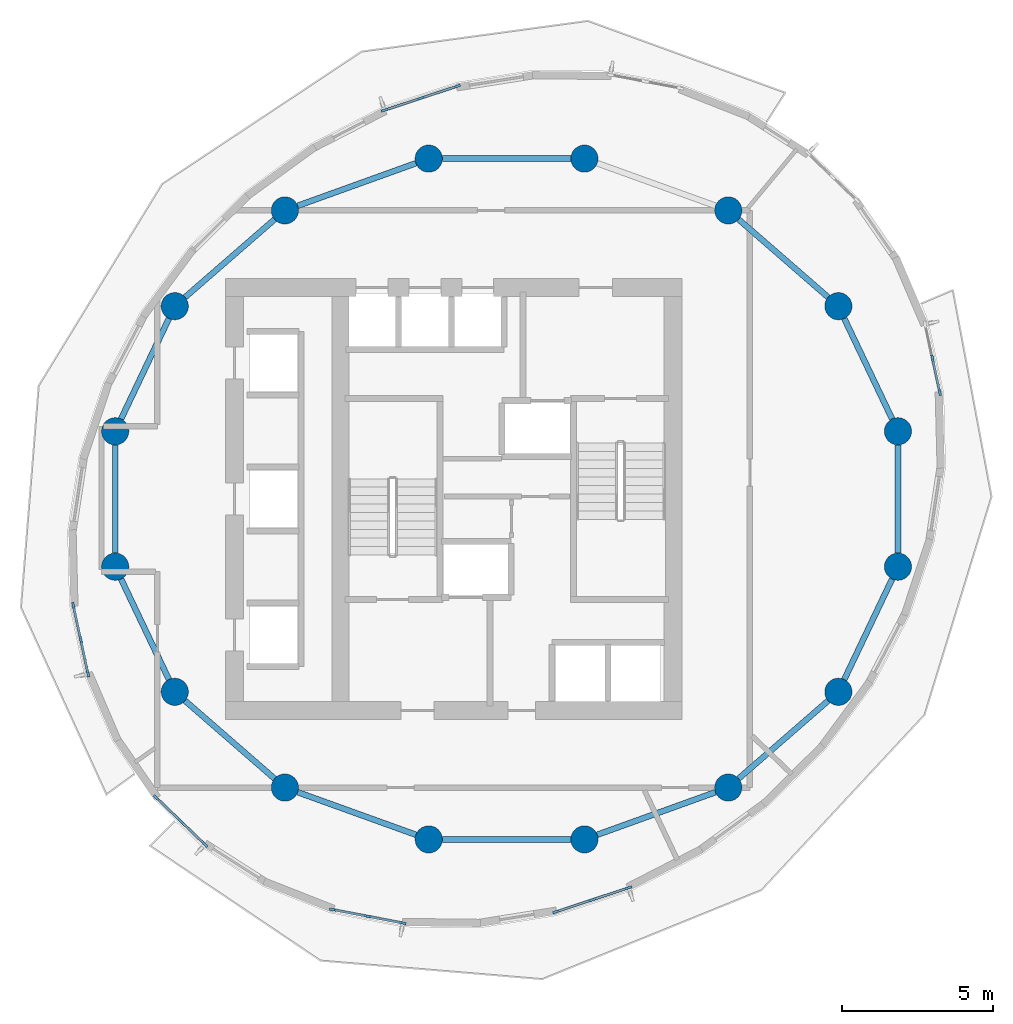
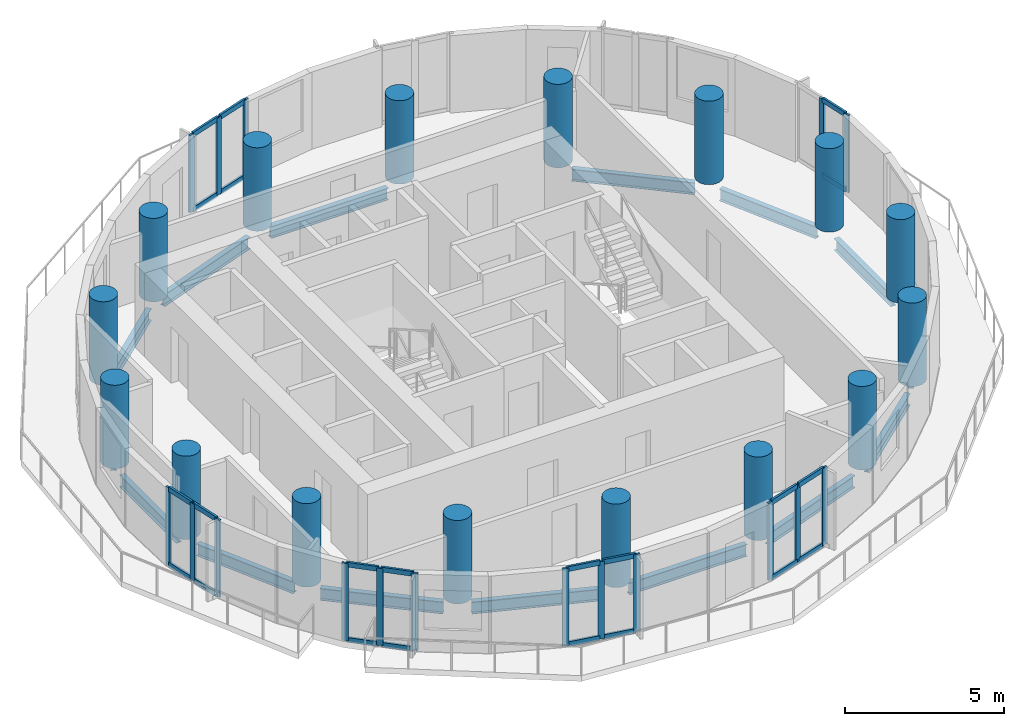
# One storey, part 1 of 9: 39 members, 16 columns, 15 beams, 6 elements without a shape of their own.
"""IFC4 building model written with IfcOpenShell, lengths in metres."""

from ifc_helpers import new_model, si_unit, direction, frame, origin, origin_2d, place, context, subcontext, project, spatial, rectangle, circle, i_section, extrude, material, material_profile, profile_set, type_object, element, aggregate, save


model = new_model("IFC4")

# Units and contexts
model_context = context("Model", 3, precision=1e-05, world=origin(), true_north=direction((0.0, 1.0)))
body_context = subcontext(model_context, "Body", "Model", "MODEL_VIEW")
ifc_project = project(units=[si_unit("LENGTHUNIT", "METRE"), si_unit("AREAUNIT", "SQUARE_METRE"), si_unit("VOLUMEUNIT", "CUBIC_METRE"), si_unit("PLANEANGLEUNIT", "RADIAN"), si_unit("MASSUNIT", "GRAM", prefix="KILO")], contexts=[model_context])

# Site, building, storey
site_placement = place(None, origin())
site = spatial("IfcSite", under=ifc_project, at=site_placement, CompositionType="ELEMENT")
building_placement = place(site_placement, origin())
building = spatial("IfcBuilding", under=site, at=building_placement, Name="Veldorim Arch Residences", CompositionType="ELEMENT")
storey_placement = place(building_placement, frame((0.0, 0.0, 163.0400390625)))
storey = spatial("IfcBuildingStorey", under=building, at=storey_placement, Name="L48", CompositionType="ELEMENT", Elevation=163.0400390625)

# Columns
ifc_material_1 = material(Name="Concrete C50/60", Category="concrete")
ifc_material_profile_1 = material_profile(ifc_material_1, circle(Radius=0.449951171875, at=origin_2d()), Name="RC_CIRC_900")
ifc_profile_set_1 = profile_set([ifc_material_profile_1], Name="Concrete C50/60")
column_type = type_object("IfcColumnType", Name="Structural Column RC_CIRC_900", PredefinedType="COLUMN", material=ifc_profile_set_1)
for number, where, z_axis, x_axis, name in (
    (1, (44.9462890625, 26.239501953125, 0.0), (0.0, 0.0, 1.0), (1.0, 0.0, 0.0), "L48 TC-Z4-01 perimeter column"),
    (2, (42.975341796875, 30.3779296875, 0.0), (0.0, 0.0, 1.0), (1.0, 0.0, 0.0), "L48 TC-Z4-02 perimeter column"),
    (3, (39.33349609375, 33.54541015625, 0.0), (0.0, 0.0, 1.0), (1.0, 0.0, 0.0), "L48 TC-Z4-03 perimeter column"),
    (4, (34.5751953125, 35.259521484375, 0.0), (0.0, 0.0, 1.0), (1.0, 0.0, 0.0), "L48 TC-Z4-04 perimeter column"),
    (5, (29.4248046875, 35.259521484375, 0.0), (0.0, 0.0, 1.0), (1.0, 0.0, 0.0), "L48 TC-Z4-05 perimeter column"),
    (6, (24.66650390625, 33.54541015625, 0.0), (0.0, 0.0, 1.0), (1.0, 0.0, 0.0), "L48 TC-Z4-06 perimeter column"),
    (7, (21.024658203125, 30.3779296875, 0.0), (0.0, 0.0, 1.0), (1.0, 0.0, 0.0), "L48 TC-Z4-07 perimeter column"),
    (8, (19.0537109375, 26.239501953125, 0.0), (0.0, 0.0, 1.0), (1.0, 0.0, 0.0), "L48 TC-Z4-08 perimeter column"),
    (9, (19.0537109375, 21.760498046875, 0.0), (0.0, 0.0, 1.0), (1.0, 0.0, 0.0), "L48 TC-Z4-09 perimeter column"),
    (10, (21.024658203125, 17.6220703125, 0.0), (0.0, 0.0, 1.0), (1.0, 0.0, 0.0), "L48 TC-Z4-10 perimeter column"),
    (11, (24.66650390625, 14.45458984375, 0.0), (0.0, 0.0, 1.0), (1.0, 0.0, 0.0), "L48 TC-Z4-11 perimeter column"),
    (12, (29.4248046875, 12.740478515625, 0.0), (0.0, 0.0, 1.0), (1.0, 0.0, 0.0), "L48 TC-Z4-12 perimeter column"),
    (13, (34.5751953125, 12.740478515625, 0.0), (0.0, 0.0, 1.0), (1.0, 0.0, 0.0), "L48 TC-Z4-13 perimeter column"),
    (14, (39.33349609375, 14.45458984375, 0.0), (0.0, 0.0, 1.0), (1.0, 0.0, 0.0), "L48 TC-Z4-14 perimeter column"),
    (15, (42.975341796875, 17.6220703125, 0.0), (0.0, 0.0, 1.0), (1.0, 0.0, 0.0), "L48 TC-Z4-15 perimeter column"),
    (16, (44.9462890625, 21.760498046875, 0.0), (0.0, 0.0, 1.0), (1.0, 0.0, 0.0), "L48 TC-Z4-16 perimeter column"),
):
    element("IfcColumn", number, at=place(storey_placement, frame(where, z_axis=z_axis, x_axis=x_axis)), inside=storey, type_object=column_type, Name=name, PredefinedType="COLUMN", context=body_context, shape_type="SweptSolid", body=[
        extrude(circle(Radius=0.449951171875, at=origin_2d()), origin(), (0.0, 0.0, 1.0), 3.199951171875),
    ])

# Curtain wall, members
ifc_material_2 = material(Name="Aluminium", Category="aluminium")
curtain_wall_type = type_object("IfcCurtainWallType", Name="Sky Lounge & Conservatory Tall Curtain Wall", PredefinedType="NOTDEFINED", material=ifc_material_2)
curtain_wall_1_placement = place(storey_placement, origin())
curtain_wall_1 = element("IfcCurtainWall", 17, at=curtain_wall_1_placement, inside=storey, type_object=curtain_wall_type, Name="L48 unitised curtain wall bay 07", PredefinedType="NOTDEFINED")
ifc_material_3 = material(Name="Aluminium", Category="aluminium")
ifc_material_profile_2 = material_profile(ifc_material_3, rectangle(XDim=0.080078125, YDim=0.219970703125, at=origin_2d()), Name="ALU_MUL_80x220")
ifc_profile_set_2 = profile_set([ifc_material_profile_2], Name="Aluminium")
member_type_1 = type_object("IfcMemberType", Name="Sky Lounge & Conservatory Tall Curtain Wall Mullion 80x220", PredefinedType="MULLION", material=ifc_profile_set_2)
member_1_placement = place(storey_placement, frame((27.962158203125, 36.86083984375, 0.0), z_axis=(0.0, 0.0, 1.0), x_axis=(-0.313182004333, 0.949693125258, 0.0)))
member_1 = element("IfcMember", 18, at=member_1_placement, type_object=member_type_1, Name="CW-SKY mullion 1", PredefinedType="MULLION", context=body_context, shape_type="SweptSolid", body=[
    extrude(rectangle(XDim=0.080078125, YDim=0.219970703125, at=origin_2d()), origin(), (0.0, 0.0, 1.0), 2.9599609375),
])
member_2_placement = place(storey_placement, frame((29.164306640625, 37.257080078125, 0.0), z_axis=(0.0, 0.0, 1.0), x_axis=(-0.313182004333, 0.949693125258, 0.0)))
member_2 = element("IfcMember", 19, at=member_2_placement, type_object=member_type_1, Name="CW-SKY mullion 2", PredefinedType="MULLION", context=body_context, shape_type="SweptSolid", body=[
    extrude(rectangle(XDim=0.080078125, YDim=0.219970703125, at=origin_2d()), origin(), (0.0, 0.0, 1.0), 2.9599609375),
])
member_3_placement = place(storey_placement, frame((30.366455078125, 37.653564453125, 0.0), z_axis=(0.0, 0.0, 1.0), x_axis=(-0.313182004333, 0.949693125258, 0.0)))
member_3 = element("IfcMember", 20, at=member_3_placement, type_object=member_type_1, Name="CW-SKY mullion 3", PredefinedType="MULLION", context=body_context, shape_type="SweptSolid", body=[
    extrude(rectangle(XDim=0.080078125, YDim=0.219970703125, at=origin_2d()), origin(), (0.0, 0.0, 1.0), 2.9599609375),
])

curtain_wall_2_placement = place(storey_placement, origin())
curtain_wall_2 = element("IfcCurtainWall", 21, at=curtain_wall_2_placement, inside=storey, type_object=curtain_wall_type, Name="L48 unitised curtain wall bay 16", PredefinedType="NOTDEFINED")
member_4_placement = place(storey_placement, frame((18.155517578125, 18.21630859375, 0.0), z_axis=(0.0, 0.0, 1.0), x_axis=(-0.977731263882, -0.209860848248, 0.0)))
member_4 = element("IfcMember", 22, at=member_4_placement, type_object=member_type_1, Name="CW-SKY mullion 1", PredefinedType="MULLION", context=body_context, shape_type="SweptSolid", body=[
    extrude(rectangle(XDim=0.080078125, YDim=0.219970703125, at=origin_2d()), origin(), (0.0, 0.0, 1.0), 2.9599609375),
])
member_5_placement = place(storey_placement, frame((17.913330078125, 19.344482421875, 0.0), z_axis=(0.0, 0.0, 1.0), x_axis=(-0.977731263882, -0.209860848248, 0.0)))
member_5 = element("IfcMember", 23, at=member_5_placement, type_object=member_type_1, Name="CW-SKY mullion 2", PredefinedType="MULLION", context=body_context, shape_type="SweptSolid", body=[
    extrude(rectangle(XDim=0.080078125, YDim=0.219970703125, at=origin_2d()), origin(), (0.0, 0.0, 1.0), 2.9599609375),
])
member_6_placement = place(storey_placement, frame((17.67138671875, 20.472900390625, 0.0), z_axis=(0.0, 0.0, 1.0), x_axis=(-0.977731263882, -0.209860848248, 0.0)))
member_6 = element("IfcMember", 24, at=member_6_placement, type_object=member_type_1, Name="CW-SKY mullion 3", PredefinedType="MULLION", context=body_context, shape_type="SweptSolid", body=[
    extrude(rectangle(XDim=0.080078125, YDim=0.219970703125, at=origin_2d()), origin(), (0.0, 0.0, 1.0), 2.9599609375),
])

curtain_wall_3_placement = place(storey_placement, origin())
curtain_wall_3 = element("IfcCurtainWall", 25, at=curtain_wall_3_placement, inside=storey, type_object=curtain_wall_type, Name="L48 unitised curtain wall bay 19", PredefinedType="NOTDEFINED")
member_7_placement = place(storey_placement, frame((22.027099609375, 12.566650390625, 0.0), z_axis=(0.0, 0.0, 1.0), x_axis=(-0.693821051004, -0.720147449612, 0.0)))
member_7 = element("IfcMember", 26, at=member_7_placement, type_object=member_type_1, Name="CW-SKY mullion 1", PredefinedType="MULLION", context=body_context, shape_type="SweptSolid", body=[
    extrude(rectangle(XDim=0.080078125, YDim=0.219970703125, at=origin_2d()), origin(), (0.0, 0.0, 1.0), 2.9599609375),
])
member_8_placement = place(storey_placement, frame((21.21875, 13.345458984375, 0.0), z_axis=(0.0, 0.0, 1.0), x_axis=(-0.693821051004, -0.720147449612, 0.0)))
member_8 = element("IfcMember", 27, at=member_8_placement, type_object=member_type_1, Name="CW-SKY mullion 2", PredefinedType="MULLION", context=body_context, shape_type="SweptSolid", body=[
    extrude(rectangle(XDim=0.080078125, YDim=0.219970703125, at=origin_2d()), origin(), (0.0, 0.0, 1.0), 2.9599609375),
])
member_9_placement = place(storey_placement, frame((20.41064453125, 14.124267578125, 0.0), z_axis=(0.0, 0.0, 1.0), x_axis=(-0.693821051004, -0.720147449612, 0.0)))
member_9 = element("IfcMember", 28, at=member_9_placement, type_object=member_type_1, Name="CW-SKY mullion 3", PredefinedType="MULLION", context=body_context, shape_type="SweptSolid", body=[
    extrude(rectangle(XDim=0.080078125, YDim=0.219970703125, at=origin_2d()), origin(), (0.0, 0.0, 1.0), 2.9599609375),
])

curtain_wall_4_placement = place(storey_placement, origin())
curtain_wall_4 = element("IfcCurtainWall", 29, at=curtain_wall_4_placement, inside=storey, type_object=curtain_wall_type, Name="L48 unitised curtain wall bay 22", PredefinedType="NOTDEFINED")
member_10_placement = place(storey_placement, frame((28.56982421875, 9.97412109375, 0.0), z_axis=(0.0, 0.0, 1.0), x_axis=(-0.187958808653, -0.98217691189, 0.0)))
member_10 = element("IfcMember", 30, at=member_10_placement, type_object=member_type_1, Name="CW-SKY mullion 1", PredefinedType="MULLION", context=body_context, shape_type="SweptSolid", body=[
    extrude(rectangle(XDim=0.080078125, YDim=0.219970703125, at=origin_2d()), origin(), (0.0, 0.0, 1.0), 2.9599609375),
])
member_11_placement = place(storey_placement, frame((27.409912109375, 10.1962890625, 0.0), z_axis=(0.0, 0.0, 1.0), x_axis=(-0.187958808653, -0.98217691189, 0.0)))
member_11 = element("IfcMember", 31, at=member_11_placement, type_object=member_type_1, Name="CW-SKY mullion 2", PredefinedType="MULLION", context=body_context, shape_type="SweptSolid", body=[
    extrude(rectangle(XDim=0.080078125, YDim=0.219970703125, at=origin_2d()), origin(), (0.0, 0.0, 1.0), 2.9599609375),
])
member_12_placement = place(storey_placement, frame((26.25, 10.418212890625, 0.0), z_axis=(0.0, 0.0, 1.0), x_axis=(-0.187958808653, -0.98217691189, 0.0)))
member_12 = element("IfcMember", 32, at=member_12_placement, type_object=member_type_1, Name="CW-SKY mullion 3", PredefinedType="MULLION", context=body_context, shape_type="SweptSolid", body=[
    extrude(rectangle(XDim=0.080078125, YDim=0.219970703125, at=origin_2d()), origin(), (0.0, 0.0, 1.0), 2.9599609375),
])

curtain_wall_5_placement = place(storey_placement, origin())
curtain_wall_5 = element("IfcCurtainWall", 33, at=curtain_wall_5_placement, inside=storey, type_object=curtain_wall_type, Name="L48 unitised curtain wall bay 25", PredefinedType="NOTDEFINED")
member_13_placement = place(storey_placement, frame((36.037841796875, 11.13916015625, 0.0), z_axis=(0.0, 0.0, 1.0), x_axis=(0.313182004333, -0.949693125258, 0.0)))
member_13 = element("IfcMember", 34, at=member_13_placement, type_object=member_type_1, Name="CW-SKY mullion 1", PredefinedType="MULLION", context=body_context, shape_type="SweptSolid", body=[
    extrude(rectangle(XDim=0.080078125, YDim=0.219970703125, at=origin_2d()), origin(), (0.0, 0.0, 1.0), 2.9599609375),
])
member_14_placement = place(storey_placement, frame((34.835693359375, 10.742919921875, 0.0), z_axis=(0.0, 0.0, 1.0), x_axis=(0.313182004333, -0.949693125258, 0.0)))
member_14 = element("IfcMember", 35, at=member_14_placement, type_object=member_type_1, Name="CW-SKY mullion 2", PredefinedType="MULLION", context=body_context, shape_type="SweptSolid", body=[
    extrude(rectangle(XDim=0.080078125, YDim=0.219970703125, at=origin_2d()), origin(), (0.0, 0.0, 1.0), 2.9599609375),
])
member_15_placement = place(storey_placement, frame((33.633544921875, 10.346435546875, 0.0), z_axis=(0.0, 0.0, 1.0), x_axis=(0.313182004333, -0.949693125258, 0.0)))
member_15 = element("IfcMember", 36, at=member_15_placement, type_object=member_type_1, Name="CW-SKY mullion 3", PredefinedType="MULLION", context=body_context, shape_type="SweptSolid", body=[
    extrude(rectangle(XDim=0.080078125, YDim=0.219970703125, at=origin_2d()), origin(), (0.0, 0.0, 1.0), 2.9599609375),
])

curtain_wall_6_placement = place(storey_placement, origin())
curtain_wall_6 = element("IfcCurtainWall", 37, at=curtain_wall_6_placement, inside=storey, type_object=curtain_wall_type, Name="L48 unitised curtain wall bay 34", PredefinedType="NOTDEFINED")
member_16_placement = place(storey_placement, frame((46.086669921875, 28.655517578125, 0.0), z_axis=(0.0, 0.0, 1.0), x_axis=(0.977731263882, 0.209860848248, 0.0)))
member_16 = element("IfcMember", 38, at=member_16_placement, type_object=member_type_1, Name="CW-SKY mullion 2", PredefinedType="MULLION", context=body_context, shape_type="SweptSolid", body=[
    extrude(rectangle(XDim=0.080078125, YDim=0.219970703125, at=origin_2d()), origin(), (0.0, 0.0, 1.0), 2.9599609375),
])
member_17_placement = place(storey_placement, frame((46.32861328125, 27.527099609375, 0.0), z_axis=(0.0, 0.0, 1.0), x_axis=(0.977731263882, 0.209860848248, 0.0)))
member_17 = element("IfcMember", 39, at=member_17_placement, type_object=member_type_1, Name="CW-SKY mullion 3", PredefinedType="MULLION", context=body_context, shape_type="SweptSolid", body=[
    extrude(rectangle(XDim=0.080078125, YDim=0.219970703125, at=origin_2d()), origin(), (0.0, 0.0, 1.0), 2.9599609375),
])

# Member
ifc_material_4 = material(Name="Aluminium", Category="aluminium")
ifc_material_profile_3 = material_profile(ifc_material_4, rectangle(XDim=0.080078125, YDim=0.18505859375, at=origin_2d()), Name="ALU_TRN_80x185")
ifc_profile_set_3 = profile_set([ifc_material_profile_3], Name="Aluminium")
member_type_2 = type_object("IfcMemberType", Name="Sky Lounge & Conservatory Tall Curtain Wall Transom 80x185", PredefinedType="USERDEFINED", material=ifc_profile_set_3)
member_18_placement = place(storey_placement, frame((28.000244140625, 36.873291015625, 0.0400390625), z_axis=(0.949687460385, 0.31319918197, 0.0), x_axis=(-0.31319918197, 0.949687460385, 0.0)))
member_18 = element("IfcMember", 40, at=member_18_placement, type_object=member_type_2, Name="CW-SKY transom 1.1", ObjectType="TRANSOM", PredefinedType="USERDEFINED", context=body_context, shape_type="SweptSolid", body=[
    extrude(rectangle(XDim=0.080078125, YDim=0.18505859375, at=origin_2d()), origin(), (0.0, 0.0, 1.0), 1.185546875),
])

member_19_placement = place(storey_placement, frame((28.000244140625, 36.873291015625, 2.919921875), z_axis=(0.949687460385, 0.31319918197, 0.0), x_axis=(-0.31319918197, 0.949687460385, 0.0)))
member_19 = element("IfcMember", 41, at=member_19_placement, type_object=member_type_2, Name="CW-SKY transom 1.2", ObjectType="TRANSOM", PredefinedType="USERDEFINED", context=body_context, shape_type="SweptSolid", body=[
    extrude(rectangle(XDim=0.080078125, YDim=0.18505859375, at=origin_2d()), origin(), (0.0, 0.0, 1.0), 1.185546875),
])

member_20_placement = place(storey_placement, frame((29.202392578125, 37.269775390625, 0.0400390625), z_axis=(0.949687460385, 0.31319918197, 0.0), x_axis=(-0.31319918197, 0.949687460385, 0.0)))
member_20 = element("IfcMember", 42, at=member_20_placement, type_object=member_type_2, Name="CW-SKY transom 2.1", ObjectType="TRANSOM", PredefinedType="USERDEFINED", context=body_context, shape_type="SweptSolid", body=[
    extrude(rectangle(XDim=0.080078125, YDim=0.18505859375, at=origin_2d()), origin(), (0.0, 0.0, 1.0), 1.185546875),
])

member_21_placement = place(storey_placement, frame((29.202392578125, 37.269775390625, 2.919921875), z_axis=(0.949687460385, 0.31319918197, 0.0), x_axis=(-0.31319918197, 0.949687460385, 0.0)))
member_21 = element("IfcMember", 43, at=member_21_placement, type_object=member_type_2, Name="CW-SKY transom 2.2", ObjectType="TRANSOM", PredefinedType="USERDEFINED", context=body_context, shape_type="SweptSolid", body=[
    extrude(rectangle(XDim=0.080078125, YDim=0.18505859375, at=origin_2d()), origin(), (0.0, 0.0, 1.0), 1.185546875),
])

aggregate(curtain_wall_1, [member_1, member_2, member_3, member_18, member_19, member_20, member_21])

member_22_placement = place(storey_placement, frame((18.147216796875, 18.255615234375, 0.0400390625), z_axis=(-0.209870698833, 0.977729149494, 0.0), x_axis=(-0.977729149494, -0.209870698833, 0.0)))
member_22 = element("IfcMember", 44, at=member_22_placement, type_object=member_type_2, Name="CW-SKY transom 1.1", ObjectType="TRANSOM", PredefinedType="USERDEFINED", context=body_context, shape_type="SweptSolid", body=[
    extrude(rectangle(XDim=0.080078125, YDim=0.18505859375, at=origin_2d()), origin(), (0.0, 0.0, 1.0), 1.07373046875),
])

member_23_placement = place(storey_placement, frame((18.147216796875, 18.255615234375, 2.919921875), z_axis=(-0.209870698833, 0.977729149494, 0.0), x_axis=(-0.977729149494, -0.209870698833, 0.0)))
member_23 = element("IfcMember", 45, at=member_23_placement, type_object=member_type_2, Name="CW-SKY transom 1.2", ObjectType="TRANSOM", PredefinedType="USERDEFINED", context=body_context, shape_type="SweptSolid", body=[
    extrude(rectangle(XDim=0.080078125, YDim=0.18505859375, at=origin_2d()), origin(), (0.0, 0.0, 1.0), 1.07373046875),
])

member_24_placement = place(storey_placement, frame((17.905029296875, 19.3837890625, 0.0400390625), z_axis=(-0.209870698833, 0.977729149494, 0.0), x_axis=(-0.977729149494, -0.209870698833, 0.0)))
member_24 = element("IfcMember", 46, at=member_24_placement, type_object=member_type_2, Name="CW-SKY transom 2.1", ObjectType="TRANSOM", PredefinedType="USERDEFINED", context=body_context, shape_type="SweptSolid", body=[
    extrude(rectangle(XDim=0.080078125, YDim=0.18505859375, at=origin_2d()), origin(), (0.0, 0.0, 1.0), 1.07373046875),
])

member_25_placement = place(storey_placement, frame((17.905029296875, 19.3837890625, 2.919921875), z_axis=(-0.209870698833, 0.977729149494, 0.0), x_axis=(-0.977729149494, -0.209870698833, 0.0)))
member_25 = element("IfcMember", 47, at=member_25_placement, type_object=member_type_2, Name="CW-SKY transom 2.2", ObjectType="TRANSOM", PredefinedType="USERDEFINED", context=body_context, shape_type="SweptSolid", body=[
    extrude(rectangle(XDim=0.080078125, YDim=0.18505859375, at=origin_2d()), origin(), (0.0, 0.0, 1.0), 1.07373046875),
])

aggregate(curtain_wall_2, [member_4, member_5, member_6, member_22, member_23, member_24, member_25])

member_26_placement = place(storey_placement, frame((21.998291015625, 12.594482421875, 0.0400390625), z_axis=(-0.720216183195, 0.693749702316, 0.0), x_axis=(-0.693749702316, -0.720216183195, 0.0)))
member_26 = element("IfcMember", 48, at=member_26_placement, type_object=member_type_2, Name="CW-SKY transom 1.1", ObjectType="TRANSOM", PredefinedType="USERDEFINED", context=body_context, shape_type="SweptSolid", body=[
    extrude(rectangle(XDim=0.080078125, YDim=0.18505859375, at=origin_2d()), origin(), (0.0, 0.0, 1.0), 1.04248046875),
])

member_27_placement = place(storey_placement, frame((21.998291015625, 12.594482421875, 2.919921875), z_axis=(-0.720216183195, 0.693749702316, 0.0), x_axis=(-0.693749702316, -0.720216183195, 0.0)))
member_27 = element("IfcMember", 49, at=member_27_placement, type_object=member_type_2, Name="CW-SKY transom 1.2", ObjectType="TRANSOM", PredefinedType="USERDEFINED", context=body_context, shape_type="SweptSolid", body=[
    extrude(rectangle(XDim=0.080078125, YDim=0.18505859375, at=origin_2d()), origin(), (0.0, 0.0, 1.0), 1.04248046875),
])

member_28_placement = place(storey_placement, frame((21.18994140625, 13.373291015625, 0.0400390625), z_axis=(-0.720103428854, 0.693866739189, 0.0), x_axis=(-0.693866739189, -0.720103428854, 0.0)))
member_28 = element("IfcMember", 50, at=member_28_placement, type_object=member_type_2, Name="CW-SKY transom 2.1", ObjectType="TRANSOM", PredefinedType="USERDEFINED", context=body_context, shape_type="SweptSolid", body=[
    extrude(rectangle(XDim=0.080078125, YDim=0.18505859375, at=origin_2d()), origin(), (0.0, 0.0, 1.0), 1.042236328125),
])

member_29_placement = place(storey_placement, frame((21.18994140625, 13.373291015625, 2.919921875), z_axis=(-0.720103428854, 0.693866739189, 0.0), x_axis=(-0.693866739189, -0.720103428854, 0.0)))
member_29 = element("IfcMember", 51, at=member_29_placement, type_object=member_type_2, Name="CW-SKY transom 2.2", ObjectType="TRANSOM", PredefinedType="USERDEFINED", context=body_context, shape_type="SweptSolid", body=[
    extrude(rectangle(XDim=0.080078125, YDim=0.18505859375, at=origin_2d()), origin(), (0.0, 0.0, 1.0), 1.042236328125),
])

aggregate(curtain_wall_3, [member_7, member_8, member_9, member_26, member_27, member_28, member_29])

member_30_placement = place(storey_placement, frame((28.530517578125, 9.981689453125, 0.0400390625), z_axis=(-0.982159549289, 0.188049514066, 0.0), x_axis=(-0.188049514066, -0.982159549289, 0.0)))
member_30 = element("IfcMember", 52, at=member_30_placement, type_object=member_type_2, Name="CW-SKY transom 1.1", ObjectType="TRANSOM", PredefinedType="USERDEFINED", context=body_context, shape_type="SweptSolid", body=[
    extrude(rectangle(XDim=0.080078125, YDim=0.18505859375, at=origin_2d()), origin(), (0.0, 0.0, 1.0), 1.100830078125),
])

member_31_placement = place(storey_placement, frame((28.530517578125, 9.981689453125, 2.919921875), z_axis=(-0.982159549289, 0.188049514066, 0.0), x_axis=(-0.188049514066, -0.982159549289, 0.0)))
member_31 = element("IfcMember", 53, at=member_31_placement, type_object=member_type_2, Name="CW-SKY transom 1.2", ObjectType="TRANSOM", PredefinedType="USERDEFINED", context=body_context, shape_type="SweptSolid", body=[
    extrude(rectangle(XDim=0.080078125, YDim=0.18505859375, at=origin_2d()), origin(), (0.0, 0.0, 1.0), 1.100830078125),
])

member_32_placement = place(storey_placement, frame((27.37060546875, 10.20361328125, 0.0400390625), z_axis=(-0.982167388619, 0.188008565587, 0.0), x_axis=(-0.188008565587, -0.982167388619, 0.0)))
member_32 = element("IfcMember", 54, at=member_32_placement, type_object=member_type_2, Name="CW-SKY transom 2.1", ObjectType="TRANSOM", PredefinedType="USERDEFINED", context=body_context, shape_type="SweptSolid", body=[
    extrude(rectangle(XDim=0.080078125, YDim=0.18505859375, at=origin_2d()), origin(), (0.0, 0.0, 1.0), 1.10107421875),
])

member_33_placement = place(storey_placement, frame((27.37060546875, 10.20361328125, 2.919921875), z_axis=(-0.982167388619, 0.188008565587, 0.0), x_axis=(-0.188008565587, -0.982167388619, 0.0)))
member_33 = element("IfcMember", 55, at=member_33_placement, type_object=member_type_2, Name="CW-SKY transom 2.2", ObjectType="TRANSOM", PredefinedType="USERDEFINED", context=body_context, shape_type="SweptSolid", body=[
    extrude(rectangle(XDim=0.080078125, YDim=0.18505859375, at=origin_2d()), origin(), (0.0, 0.0, 1.0), 1.10107421875),
])

aggregate(curtain_wall_4, [member_10, member_11, member_12, member_30, member_31, member_32, member_33])

member_34_placement = place(storey_placement, frame((35.999755859375, 11.126708984375, 0.0400390625), z_axis=(-0.949687460385, -0.31319918197, 0.0), x_axis=(0.31319918197, -0.949687460385, 0.0)))
member_34 = element("IfcMember", 56, at=member_34_placement, type_object=member_type_2, Name="CW-SKY transom 1.1", ObjectType="TRANSOM", PredefinedType="USERDEFINED", context=body_context, shape_type="SweptSolid", body=[
    extrude(rectangle(XDim=0.080078125, YDim=0.18505859375, at=origin_2d()), origin(), (0.0, 0.0, 1.0), 1.185546875),
])

member_35_placement = place(storey_placement, frame((35.999755859375, 11.126708984375, 2.919921875), z_axis=(-0.949687460385, -0.31319918197, 0.0), x_axis=(0.31319918197, -0.949687460385, 0.0)))
member_35 = element("IfcMember", 57, at=member_35_placement, type_object=member_type_2, Name="CW-SKY transom 1.2", ObjectType="TRANSOM", PredefinedType="USERDEFINED", context=body_context, shape_type="SweptSolid", body=[
    extrude(rectangle(XDim=0.080078125, YDim=0.18505859375, at=origin_2d()), origin(), (0.0, 0.0, 1.0), 1.185546875),
])

member_36_placement = place(storey_placement, frame((34.797607421875, 10.730224609375, 0.0400390625), z_axis=(-0.949687460385, -0.31319918197, 0.0), x_axis=(0.31319918197, -0.949687460385, 0.0)))
member_36 = element("IfcMember", 58, at=member_36_placement, type_object=member_type_2, Name="CW-SKY transom 2.1", ObjectType="TRANSOM", PredefinedType="USERDEFINED", context=body_context, shape_type="SweptSolid", body=[
    extrude(rectangle(XDim=0.080078125, YDim=0.18505859375, at=origin_2d()), origin(), (0.0, 0.0, 1.0), 1.185546875),
])

member_37_placement = place(storey_placement, frame((34.797607421875, 10.730224609375, 2.919921875), z_axis=(-0.949687460385, -0.31319918197, 0.0), x_axis=(0.31319918197, -0.949687460385, 0.0)))
member_37 = element("IfcMember", 59, at=member_37_placement, type_object=member_type_2, Name="CW-SKY transom 2.2", ObjectType="TRANSOM", PredefinedType="USERDEFINED", context=body_context, shape_type="SweptSolid", body=[
    extrude(rectangle(XDim=0.080078125, YDim=0.18505859375, at=origin_2d()), origin(), (0.0, 0.0, 1.0), 1.185546875),
])

aggregate(curtain_wall_5, [member_13, member_14, member_15, member_34, member_35, member_36, member_37])

member_38_placement = place(storey_placement, frame((46.094970703125, 28.6162109375, 0.0400390625), z_axis=(0.209870698833, -0.977729149494, 0.0), x_axis=(0.977729149494, 0.209870698833, 0.0)))
member_38 = element("IfcMember", 60, at=member_38_placement, type_object=member_type_2, Name="CW-SKY transom 2.1", ObjectType="TRANSOM", PredefinedType="USERDEFINED", context=body_context, shape_type="SweptSolid", body=[
    extrude(rectangle(XDim=0.080078125, YDim=0.18505859375, at=origin_2d()), origin(), (0.0, 0.0, 1.0), 1.07373046875),
])

member_39_placement = place(storey_placement, frame((46.094970703125, 28.6162109375, 2.919921875), z_axis=(0.209870698833, -0.977729149494, 0.0), x_axis=(0.977729149494, 0.209870698833, 0.0)))
member_39 = element("IfcMember", 61, at=member_39_placement, type_object=member_type_2, Name="CW-SKY transom 2.2", ObjectType="TRANSOM", PredefinedType="USERDEFINED", context=body_context, shape_type="SweptSolid", body=[
    extrude(rectangle(XDim=0.080078125, YDim=0.18505859375, at=origin_2d()), origin(), (0.0, 0.0, 1.0), 1.07373046875),
])

aggregate(curtain_wall_6, [member_16, member_17, member_38, member_39])

# Beams
ifc_material_5 = material(Name="Steel S355", Category="steel")
ifc_material_profile_4 = material_profile(ifc_material_5, i_section(OverallWidth=0.19140625, OverallDepth=0.4599609375, WebThickness=0.010009765625, FlangeThickness=0.01611328125, at=origin_2d()), Name="UB457x191x82")
ifc_profile_set_4 = profile_set([ifc_material_profile_4], Name="Steel S355")
beam_type = type_object("IfcBeamType", Name="Structural Steel Spandrel UB457x191x82", PredefinedType="SPANDREL", material=ifc_profile_set_4)
beam_1_placement = place(storey_placement, frame((44.7529296875, 26.64599609375, -0.469970703125), z_axis=(-0.430005613988, 0.902826213586, 0.0), x_axis=(-0.902826213586, -0.430005613988, 0.0)))
element("IfcBeam", 62, at=beam_1_placement, inside=storey, type_object=beam_type, Name="L48 perimeter ring tie beam 01", PredefinedType="SPANDREL", context=body_context, shape_type="SweptSolid", body=[
    extrude(i_section(OverallWidth=0.19140625, OverallDepth=0.4599609375, WebThickness=0.010009765625, FlangeThickness=0.01611328125, at=origin_2d()), origin(), (0.0, 0.0, 1.0), 3.68359375),
])
beam_2_placement = place(storey_placement, frame((42.635986328125, 30.673095703125, -0.469970703125), z_axis=(-0.754545285701, 0.656247980436, 0.0), x_axis=(-0.656247980436, -0.754545285701, 0.0)))
element("IfcBeam", 63, at=beam_2_placement, inside=storey, type_object=beam_type, Name="L48 perimeter ring tie beam 02", PredefinedType="SPANDREL", context=body_context, shape_type="SweptSolid", body=[
    extrude(i_section(OverallWidth=0.19140625, OverallDepth=0.4599609375, WebThickness=0.010009765625, FlangeThickness=0.01611328125, at=origin_2d()), origin(), (0.0, 0.0, 1.0), 3.9267578125),
])
beam_3_placement = place(storey_placement, frame((34.125244140625, 35.259521484375, -0.469970703125), z_axis=(-1.0, 0.0, 0.0), x_axis=(0.0, -1.0, 0.0)))
element("IfcBeam", 64, at=beam_3_placement, inside=storey, type_object=beam_type, Name="L48 perimeter ring tie beam 04", PredefinedType="SPANDREL", context=body_context, shape_type="SweptSolid", body=[
    extrude(i_section(OverallWidth=0.19140625, OverallDepth=0.4599609375, WebThickness=0.010009765625, FlangeThickness=0.01611328125, at=origin_2d()), origin(), (0.0, 0.0, 1.0), 4.25048828125),
])
beam_4_placement = place(storey_placement, frame((29.00146484375, 35.10693359375, -0.469970703125), z_axis=(-0.940811035395, -0.338931550137, 0.0), x_axis=(0.338931550137, -0.940811035395, 0.0)))
element("IfcBeam", 65, at=beam_4_placement, inside=storey, type_object=beam_type, Name="L48 perimeter ring tie beam 05", PredefinedType="SPANDREL", context=body_context, shape_type="SweptSolid", body=[
    extrude(i_section(OverallWidth=0.19140625, OverallDepth=0.4599609375, WebThickness=0.010009765625, FlangeThickness=0.01611328125, at=origin_2d()), origin(), (0.0, 0.0, 1.0), 4.15771484375),
])
beam_5_placement = place(storey_placement, frame((24.326904296875, 33.25, -0.469970703125), z_axis=(-0.754545285701, -0.656247980436, 0.0), x_axis=(0.656247980436, -0.754545285701, 0.0)))
element("IfcBeam", 66, at=beam_5_placement, inside=storey, type_object=beam_type, Name="L48 perimeter ring tie beam 06", PredefinedType="SPANDREL", context=body_context, shape_type="SweptSolid", body=[
    extrude(i_section(OverallWidth=0.19140625, OverallDepth=0.4599609375, WebThickness=0.010009765625, FlangeThickness=0.01611328125, at=origin_2d()), origin(), (0.0, 0.0, 1.0), 3.9267578125),
])
beam_6_placement = place(storey_placement, frame((20.8310546875, 29.9716796875, -0.469970703125), z_axis=(-0.430005613988, -0.902826213586, 0.0), x_axis=(0.902826213586, -0.430005613988, 0.0)))
element("IfcBeam", 67, at=beam_6_placement, inside=storey, type_object=beam_type, Name="L48 perimeter ring tie beam 07", PredefinedType="SPANDREL", context=body_context, shape_type="SweptSolid", body=[
    extrude(i_section(OverallWidth=0.19140625, OverallDepth=0.4599609375, WebThickness=0.010009765625, FlangeThickness=0.01611328125, at=origin_2d()), origin(), (0.0, 0.0, 1.0), 3.68359375),
])
beam_7_placement = place(storey_placement, frame((19.0537109375, 25.78955078125, -0.469970703125), z_axis=(0.0, -1.0, 0.0), x_axis=(1.0, 0.0, 0.0)))
element("IfcBeam", 68, at=beam_7_placement, inside=storey, type_object=beam_type, Name="L48 perimeter ring tie beam 08", PredefinedType="SPANDREL", context=body_context, shape_type="SweptSolid", body=[
    extrude(i_section(OverallWidth=0.19140625, OverallDepth=0.4599609375, WebThickness=0.010009765625, FlangeThickness=0.01611328125, at=origin_2d()), origin(), (0.0, 0.0, 1.0), 3.5791015625),
])
beam_8_placement = place(storey_placement, frame((19.2470703125, 21.35400390625, -0.469970703125), z_axis=(0.430005613988, -0.902826213586, 0.0), x_axis=(0.902826213586, 0.430005613988, 0.0)))
element("IfcBeam", 69, at=beam_8_placement, inside=storey, type_object=beam_type, Name="L48 perimeter ring tie beam 09", PredefinedType="SPANDREL", context=body_context, shape_type="SweptSolid", body=[
    extrude(i_section(OverallWidth=0.19140625, OverallDepth=0.4599609375, WebThickness=0.010009765625, FlangeThickness=0.01611328125, at=origin_2d()), origin(), (0.0, 0.0, 1.0), 3.68359375),
])
beam_9_placement = place(storey_placement, frame((21.364013671875, 17.326904296875, -0.469970703125), z_axis=(0.754545285701, -0.656247980436, 0.0), x_axis=(0.656247980436, 0.754545285701, 0.0)))
element("IfcBeam", 70, at=beam_9_placement, inside=storey, type_object=beam_type, Name="L48 perimeter ring tie beam 10", PredefinedType="SPANDREL", context=body_context, shape_type="SweptSolid", body=[
    extrude(i_section(OverallWidth=0.19140625, OverallDepth=0.4599609375, WebThickness=0.010009765625, FlangeThickness=0.01611328125, at=origin_2d()), origin(), (0.0, 0.0, 1.0), 3.9267578125),
])
beam_10_placement = place(storey_placement, frame((25.08984375, 14.30224609375, -0.469970703125), z_axis=(0.940811035395, -0.338931550137, 0.0), x_axis=(0.338931550137, 0.940811035395, 0.0)))
element("IfcBeam", 71, at=beam_10_placement, inside=storey, type_object=beam_type, Name="L48 perimeter ring tie beam 11", PredefinedType="SPANDREL", context=body_context, shape_type="SweptSolid", body=[
    extrude(i_section(OverallWidth=0.19140625, OverallDepth=0.4599609375, WebThickness=0.010009765625, FlangeThickness=0.01611328125, at=origin_2d()), origin(), (0.0, 0.0, 1.0), 4.15771484375),
])
beam_11_placement = place(storey_placement, frame((29.874755859375, 12.740478515625, -0.469970703125), z_axis=(1.0, 0.0, 0.0), x_axis=(0.0, 1.0, 0.0)))
element("IfcBeam", 72, at=beam_11_placement, inside=storey, type_object=beam_type, Name="L48 perimeter ring tie beam 12", PredefinedType="SPANDREL", context=body_context, shape_type="SweptSolid", body=[
    extrude(i_section(OverallWidth=0.19140625, OverallDepth=0.4599609375, WebThickness=0.010009765625, FlangeThickness=0.01611328125, at=origin_2d()), origin(), (0.0, 0.0, 1.0), 4.25048828125),
])
beam_12_placement = place(storey_placement, frame((34.99853515625, 12.89306640625, -0.469970703125), z_axis=(0.940811035395, 0.338931550137, 0.0), x_axis=(-0.338931550137, 0.940811035395, 0.0)))
element("IfcBeam", 73, at=beam_12_placement, inside=storey, type_object=beam_type, Name="L48 perimeter ring tie beam 13", PredefinedType="SPANDREL", context=body_context, shape_type="SweptSolid", body=[
    extrude(i_section(OverallWidth=0.19140625, OverallDepth=0.4599609375, WebThickness=0.010009765625, FlangeThickness=0.01611328125, at=origin_2d()), origin(), (0.0, 0.0, 1.0), 4.15771484375),
])
beam_13_placement = place(storey_placement, frame((39.673095703125, 14.75, -0.469970703125), z_axis=(0.754545285701, 0.656247980436, 0.0), x_axis=(-0.656247980436, 0.754545285701, 0.0)))
element("IfcBeam", 74, at=beam_13_placement, inside=storey, type_object=beam_type, Name="L48 perimeter ring tie beam 14", PredefinedType="SPANDREL", context=body_context, shape_type="SweptSolid", body=[
    extrude(i_section(OverallWidth=0.19140625, OverallDepth=0.4599609375, WebThickness=0.010009765625, FlangeThickness=0.01611328125, at=origin_2d()), origin(), (0.0, 0.0, 1.0), 3.9267578125),
])
beam_14_placement = place(storey_placement, frame((43.1689453125, 18.0283203125, -0.469970703125), z_axis=(0.430005613988, 0.902826213586, 0.0), x_axis=(-0.902826213586, 0.430005613988, 0.0)))
element("IfcBeam", 75, at=beam_14_placement, inside=storey, type_object=beam_type, Name="L48 perimeter ring tie beam 15", PredefinedType="SPANDREL", context=body_context, shape_type="SweptSolid", body=[
    extrude(i_section(OverallWidth=0.19140625, OverallDepth=0.4599609375, WebThickness=0.010009765625, FlangeThickness=0.01611328125, at=origin_2d()), origin(), (0.0, 0.0, 1.0), 3.68359375),
])
beam_15_placement = place(storey_placement, frame((44.9462890625, 22.21044921875, -0.469970703125), z_axis=(0.0, 1.0, 0.0), x_axis=(-1.0, 0.0, 0.0)))
element("IfcBeam", 76, at=beam_15_placement, inside=storey, type_object=beam_type, Name="L48 perimeter ring tie beam 16", PredefinedType="SPANDREL", context=body_context, shape_type="SweptSolid", body=[
    extrude(i_section(OverallWidth=0.19140625, OverallDepth=0.4599609375, WebThickness=0.010009765625, FlangeThickness=0.01611328125, at=origin_2d()), origin(), (0.0, 0.0, 1.0), 3.5791015625),
])

save(model, "model.ifc")
